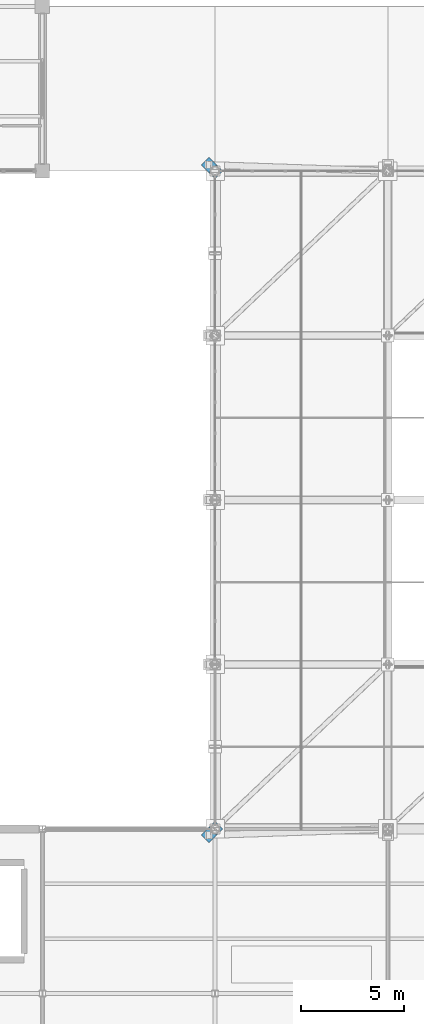
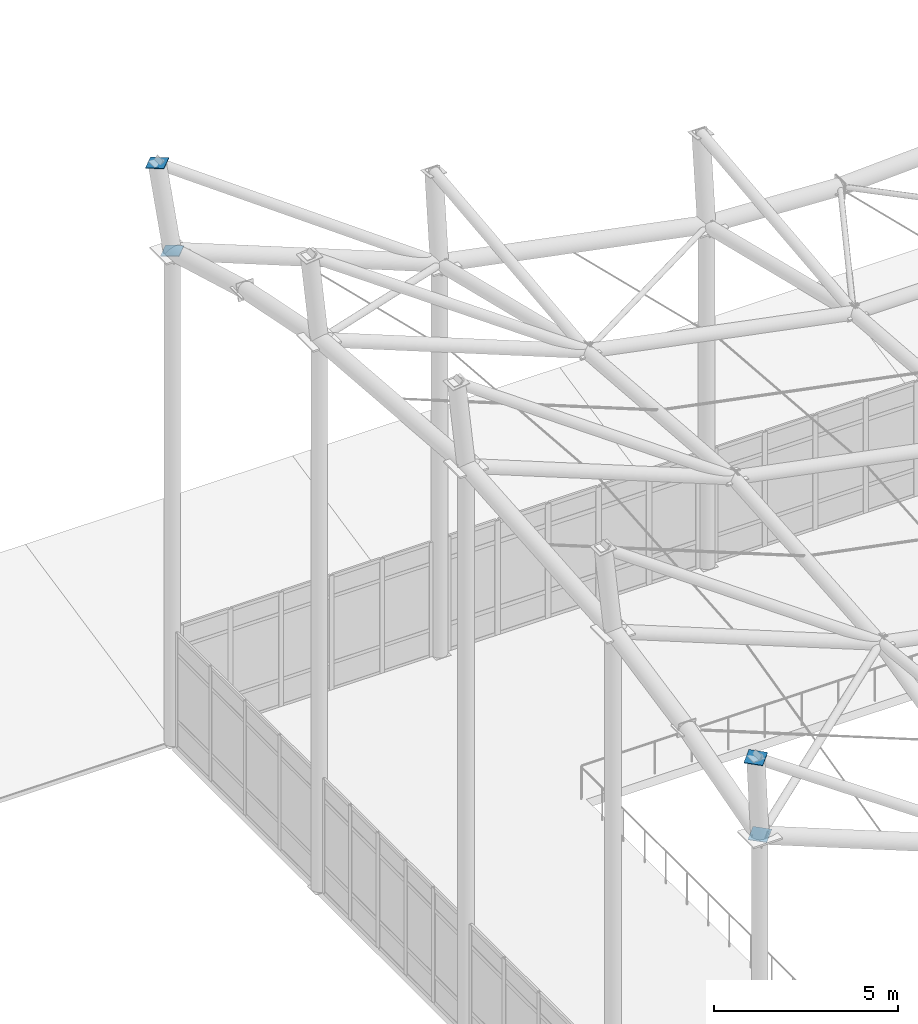
# One storey, part 81 of 138: 4 discrete accessories.
"""IFC4 building model written with IfcOpenShell, lengths in metres."""

from ifc_helpers import new_model, si_unit, direction, frame, origin, origin_2d, place, context, subcontext, project, spatial, rectangle, extrude, material, layer, layer_set, type_object, element, save


model = new_model("IFC4")

# Units and contexts
model_context = context("Model", 3, precision=1e-05, world=origin(), true_north=direction((0.0, 1.0)))
body_context = subcontext(model_context, "Body", "Model", "MODEL_VIEW")
ifc_project = project(units=[si_unit("LENGTHUNIT", "METRE"), si_unit("AREAUNIT", "SQUARE_METRE"), si_unit("VOLUMEUNIT", "CUBIC_METRE"), si_unit("PLANEANGLEUNIT", "RADIAN"), si_unit("MASSUNIT", "GRAM", prefix="KILO")], contexts=[model_context])

# Site, building, storey
site_placement = place(None, origin())
site = spatial("IfcSite", under=ifc_project, at=site_placement, CompositionType="ELEMENT")
building_placement = place(site_placement, origin())
building = spatial("IfcBuilding", under=site, at=building_placement, Name="Kranzveld Transit Interchange", CompositionType="ELEMENT")
storey_placement = place(building_placement, frame((0.0, 0.0, 5.43994140625)))
storey = spatial("IfcBuildingStorey", under=building, at=storey_placement, Name="L01", CompositionType="ELEMENT", Elevation=5.43994140625)

# Discrete accessories
ifc_material = material(Name="Steel S355JR", Category="steel")
ifc_layer = layer(ifc_material, 0.02001953125)
ifc_layer_set = layer_set([ifc_layer], Name="Steel S355JR")
discrete_accessory_type = type_object("IfcDiscreteAccessoryType", Name="Hollow Section End Cap Bracket 20 S355JR", PredefinedType="BRACKET", material=ifc_layer_set)
for number, where, z_axis, x_axis, name in (
    (1, (58.799560546875, 55.99951171875, 16.333984375), (0.10976425999, 0.10976425999, -0.987878339907), (-0.707106781187, 0.707106781187, 0.0), "Hollow Section End Cap C-MST508-1"),
    (2, (58.50048828125, 55.700439453125, 19.156005859375), (-0.10976425999, -0.10976425999, 0.987878339907), (0.707106781187, -0.707106781187, 0.0), "Hollow Section End Cap C-MST508-2"),
    (3, (58.799560546875, 88.00048828125, 16.333984375), (0.10976425999, -0.10976425999, -0.987878339907), (0.707106781187, 0.707106781187, 0.0), "Hollow Section End Cap C-MST508-1"),
    (4, (58.50048828125, 88.299560546875, 19.156005859375), (-0.10976425999, 0.10976425999, 0.987878339907), (-0.707106781187, -0.707106781187, 0.0), "Hollow Section End Cap C-MST508-2"),
):
    element("IfcDiscreteAccessory", number, at=place(storey_placement, frame(where, z_axis=z_axis, x_axis=x_axis)), inside=storey, type_object=discrete_accessory_type, Name=name, PredefinedType="BRACKET", context=body_context, shape_type="SweptSolid", body=[
        extrude(rectangle(XDim=0.531982421875, YDim=0.531982421875, at=origin_2d()), origin(), (0.0, 0.0, 1.0), 0.02001953125),
    ])

save(model, "model.ifc")
